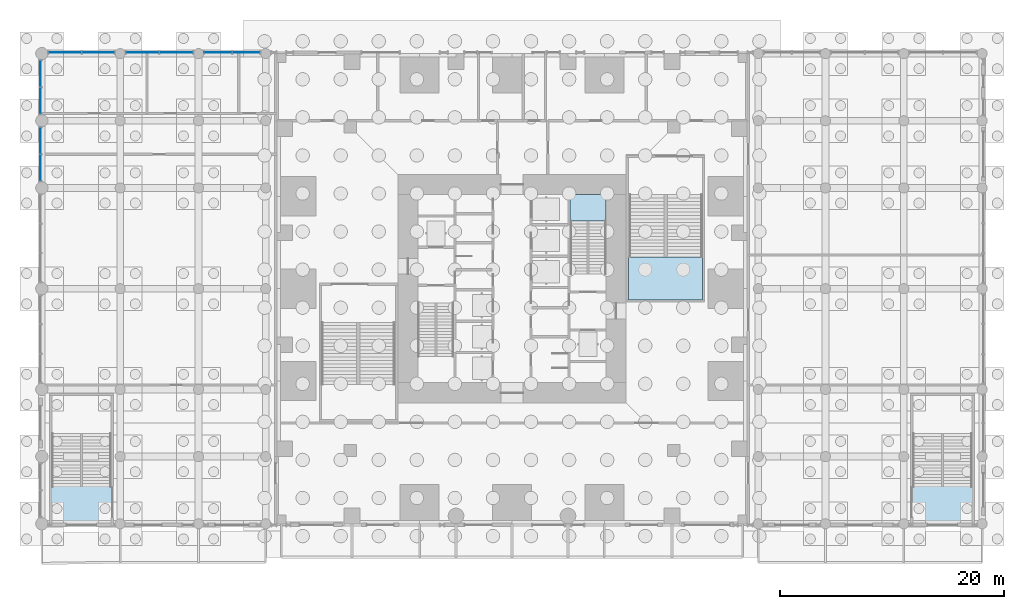
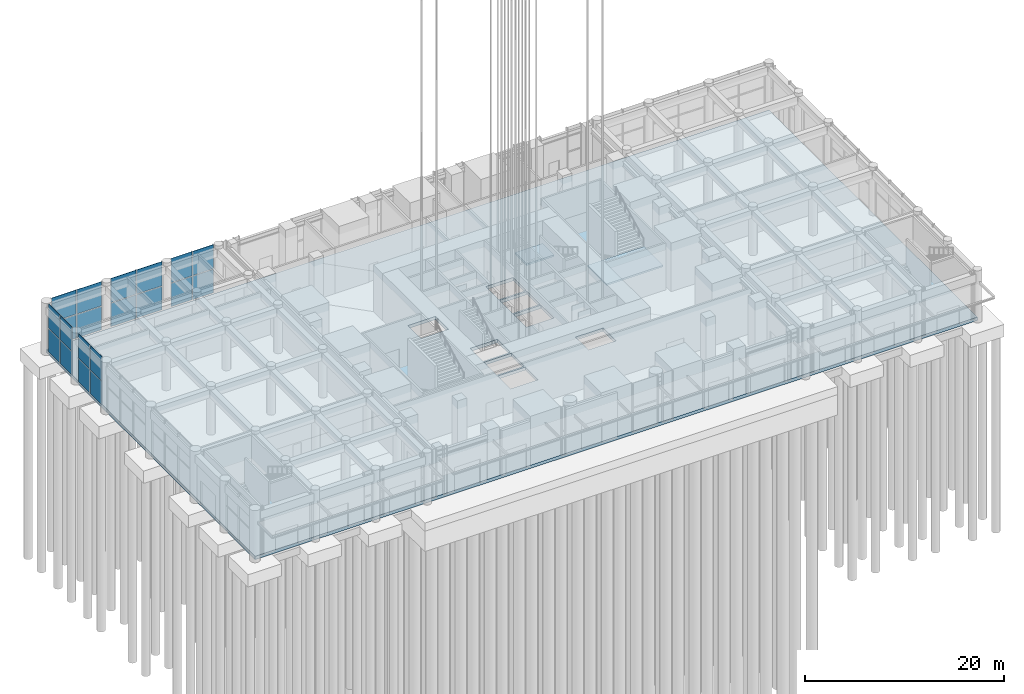
# One storey, part 17 of 46: 20 plates, 3 slabs, 7 elements without a shape of their own.
"""IFC4 building model written with IfcOpenShell, lengths in metres."""

from ifc_helpers import new_model, si_unit, direction, frame, origin, origin_2d, place, context, subcontext, project, spatial, polyline, rectangle, outline, extrude, material, layer, layer_set, type_object, element, aggregate, save


model = new_model("IFC4")

# Units and contexts
model_context = context("Model", 3, precision=1e-05, world=origin(), true_north=direction((0.0, 1.0)))
body_context = subcontext(model_context, "Body", "Model", "MODEL_VIEW")
ifc_project = project(units=[si_unit("LENGTHUNIT", "METRE"), si_unit("AREAUNIT", "SQUARE_METRE"), si_unit("VOLUMEUNIT", "CUBIC_METRE"), si_unit("PLANEANGLEUNIT", "RADIAN"), si_unit("MASSUNIT", "GRAM", prefix="KILO")], contexts=[model_context])

# Site, building, storey
site_placement = place(None, origin())
site = spatial("IfcSite", under=ifc_project, at=site_placement, CompositionType="ELEMENT")
building_placement = place(site_placement, origin())
building = spatial("IfcBuilding", under=site, at=building_placement, Name="Svetlomir Tower", CompositionType="ELEMENT")
storey_placement = place(building_placement, origin())
storey = spatial("IfcBuildingStorey", under=building, at=storey_placement, Name="L00", CompositionType="ELEMENT", Elevation=0.0)

# Curtain wall, plates
ifc_material_1 = material(Name="Bronze anodised aluminium curtain wall", Category="aluminium")
curtain_wall_type = type_object("IfcCurtainWallType", Name="CURTAIN WALL CW5 PODIUM", PredefinedType="NOTDEFINED", material=ifc_material_1)
curtain_wall_1_placement = place(storey_placement, origin())
curtain_wall_1 = element("IfcCurtainWall", 1, at=curtain_wall_1_placement, inside=storey, type_object=curtain_wall_type, Name="Curtain wall CW5 L00", PredefinedType="NOTDEFINED")
ifc_material_2 = material(Name="Tinted double glazed unit", Category="glass")
ifc_layer_1 = layer(ifc_material_2, 0.0400390625)
ifc_layer_set_1 = layer_set([ifc_layer_1], Name="Tinted double glazed unit")
plate_type = type_object("IfcPlateType", Name="CW5 GLAZED PANEL 40", PredefinedType="CURTAIN_PANEL", material=ifc_layer_set_1)
plate_1_placement = place(storey_placement, frame((-2.7451171875, 42.10009765625, 0.080078125), z_axis=(0.0, 0.0, 1.0), x_axis=(-1.0, 0.0, 0.0)))
plate_1 = element("IfcPlate", 2, at=plate_1_placement, type_object=plate_type, Name="CW5 panel 1.1", PredefinedType="CURTAIN_PANEL", context=body_context, shape_type="SweptSolid", body=[
    extrude(rectangle(XDim=2.429931640625, YDim=0.0400390625, at=origin_2d()), origin(), (0.0, 0.0, 1.0), 2.8798828125),
])
plate_2_placement = place(storey_placement, frame((-2.7451171875, 42.10009765625, 3.0400390625), z_axis=(0.0, 0.0, 1.0), x_axis=(-1.0, 0.0, 0.0)))
plate_2 = element("IfcPlate", 3, at=plate_2_placement, type_object=plate_type, Name="CW5 panel 1.2", PredefinedType="CURTAIN_PANEL", context=body_context, shape_type="SweptSolid", body=[
    extrude(rectangle(XDim=2.429931640625, YDim=0.0400390625, at=origin_2d()), origin(), (0.0, 0.0, 1.0), 2.9599609375),
])
plate_3_placement = place(storey_placement, frame((-5.2548828125, 42.10009765625, 0.080078125), z_axis=(0.0, 0.0, 1.0), x_axis=(-1.0, 0.0, 0.0)))
plate_3 = element("IfcPlate", 4, at=plate_3_placement, type_object=plate_type, Name="CW5 panel 2.1", PredefinedType="CURTAIN_PANEL", context=body_context, shape_type="SweptSolid", body=[
    extrude(rectangle(XDim=2.429931640625, YDim=0.0400390625, at=origin_2d()), origin(), (0.0, 0.0, 1.0), 2.8798828125),
])
plate_4_placement = place(storey_placement, frame((-5.2548828125, 42.10009765625, 3.0400390625), z_axis=(0.0, 0.0, 1.0), x_axis=(-1.0, 0.0, 0.0)))
plate_4 = element("IfcPlate", 5, at=plate_4_placement, type_object=plate_type, Name="CW5 panel 2.2", PredefinedType="CURTAIN_PANEL", context=body_context, shape_type="SweptSolid", body=[
    extrude(rectangle(XDim=2.429931640625, YDim=0.0400390625, at=origin_2d()), origin(), (0.0, 0.0, 1.0), 2.9599609375),
])
aggregate(curtain_wall_1, [plate_1, plate_2, plate_3, plate_4])

curtain_wall_2_placement = place(storey_placement, origin())
curtain_wall_2 = element("IfcCurtainWall", 6, at=curtain_wall_2_placement, inside=storey, type_object=curtain_wall_type, Name="Curtain wall CW5 L00", PredefinedType="NOTDEFINED")
plate_5_placement = place(storey_placement, frame((-8.9951171875, 42.10009765625, 0.080078125), z_axis=(0.0, 0.0, 1.0), x_axis=(-1.0, 0.0, 0.0)))
plate_5 = element("IfcPlate", 7, at=plate_5_placement, type_object=plate_type, Name="CW5 panel 1.1", PredefinedType="CURTAIN_PANEL", context=body_context, shape_type="SweptSolid", body=[
    extrude(rectangle(XDim=2.929931640625, YDim=0.0400390625, at=origin_2d()), origin(), (0.0, 0.0, 1.0), 2.8798828125),
])
plate_6_placement = place(storey_placement, frame((-8.9951171875, 42.10009765625, 3.0400390625), z_axis=(0.0, 0.0, 1.0), x_axis=(-1.0, 0.0, 0.0)))
plate_6 = element("IfcPlate", 8, at=plate_6_placement, type_object=plate_type, Name="CW5 panel 1.2", PredefinedType="CURTAIN_PANEL", context=body_context, shape_type="SweptSolid", body=[
    extrude(rectangle(XDim=2.929931640625, YDim=0.0400390625, at=origin_2d()), origin(), (0.0, 0.0, 1.0), 2.9599609375),
])
plate_7_placement = place(storey_placement, frame((-12.0048828125, 42.10009765625, 0.080078125), z_axis=(0.0, 0.0, 1.0), x_axis=(-1.0, 0.0, 0.0)))
plate_7 = element("IfcPlate", 9, at=plate_7_placement, type_object=plate_type, Name="CW5 panel 2.1", PredefinedType="CURTAIN_PANEL", context=body_context, shape_type="SweptSolid", body=[
    extrude(rectangle(XDim=2.929931640625, YDim=0.0400390625, at=origin_2d()), origin(), (0.0, 0.0, 1.0), 2.8798828125),
])
plate_8_placement = place(storey_placement, frame((-12.0048828125, 42.10009765625, 3.0400390625), z_axis=(0.0, 0.0, 1.0), x_axis=(-1.0, 0.0, 0.0)))
plate_8 = element("IfcPlate", 10, at=plate_8_placement, type_object=plate_type, Name="CW5 panel 2.2", PredefinedType="CURTAIN_PANEL", context=body_context, shape_type="SweptSolid", body=[
    extrude(rectangle(XDim=2.929931640625, YDim=0.0400390625, at=origin_2d()), origin(), (0.0, 0.0, 1.0), 2.9599609375),
])
aggregate(curtain_wall_2, [plate_5, plate_6, plate_7, plate_8])

curtain_wall_3_placement = place(storey_placement, origin())
curtain_wall_3 = element("IfcCurtainWall", 11, at=curtain_wall_3_placement, inside=storey, type_object=curtain_wall_type, Name="Curtain wall CW5 L00", PredefinedType="NOTDEFINED")
plate_9_placement = place(storey_placement, frame((-15.969970703125, 42.10009765625, 0.080078125), z_axis=(0.0, 0.0, 1.0), x_axis=(-1.0, 0.0, 0.0)))
plate_9 = element("IfcPlate", 12, at=plate_9_placement, type_object=plate_type, Name="CW5 panel 1.1", PredefinedType="CURTAIN_PANEL", context=body_context, shape_type="SweptSolid", body=[
    extrude(rectangle(XDim=2.8798828125, YDim=0.0400390625, at=origin_2d()), origin(), (0.0, 0.0, 1.0), 2.8798828125),
])
plate_10_placement = place(storey_placement, frame((-15.969970703125, 42.10009765625, 3.0400390625), z_axis=(0.0, 0.0, 1.0), x_axis=(-1.0, 0.0, 0.0)))
plate_10 = element("IfcPlate", 13, at=plate_10_placement, type_object=plate_type, Name="CW5 panel 1.2", PredefinedType="CURTAIN_PANEL", context=body_context, shape_type="SweptSolid", body=[
    extrude(rectangle(XDim=2.8798828125, YDim=0.0400390625, at=origin_2d()), origin(), (0.0, 0.0, 1.0), 2.9599609375),
])
plate_11_placement = place(storey_placement, frame((-18.929931640625, 42.10009765625, 0.080078125), z_axis=(0.0, 0.0, 1.0), x_axis=(-1.0, 0.0, 0.0)))
plate_11 = element("IfcPlate", 14, at=plate_11_placement, type_object=plate_type, Name="CW5 panel 2.1", PredefinedType="CURTAIN_PANEL", context=body_context, shape_type="SweptSolid", body=[
    extrude(rectangle(XDim=2.8798828125, YDim=0.0400390625, at=origin_2d()), origin(), (0.0, 0.0, 1.0), 2.8798828125),
])
plate_12_placement = place(storey_placement, frame((-18.929931640625, 42.10009765625, 3.0400390625), z_axis=(0.0, 0.0, 1.0), x_axis=(-1.0, 0.0, 0.0)))
plate_12 = element("IfcPlate", 15, at=plate_12_placement, type_object=plate_type, Name="CW5 panel 2.2", PredefinedType="CURTAIN_PANEL", context=body_context, shape_type="SweptSolid", body=[
    extrude(rectangle(XDim=2.8798828125, YDim=0.0400390625, at=origin_2d()), origin(), (0.0, 0.0, 1.0), 2.9599609375),
])
aggregate(curtain_wall_3, [plate_9, plate_10, plate_11, plate_12])

curtain_wall_4_placement = place(storey_placement, origin())
curtain_wall_4 = element("IfcCurtainWall", 16, at=curtain_wall_4_placement, inside=storey, type_object=curtain_wall_type, Name="Curtain wall CW5 L00", PredefinedType="NOTDEFINED")
plate_13_placement = place(storey_placement, frame((-21.10009765625, 40.205078125, 0.080078125), z_axis=(0.0, 0.0, 1.0), x_axis=(0.0, -1.0, 0.0)))
plate_13 = element("IfcPlate", 17, at=plate_13_placement, type_object=plate_type, Name="CW5 panel 1.1", PredefinedType="CURTAIN_PANEL", context=body_context, shape_type="SweptSolid", body=[
    extrude(rectangle(XDim=2.330078125, YDim=0.0400390625, at=origin_2d()), origin(), (0.0, 0.0, 1.0), 2.8798828125),
])
plate_14_placement = place(storey_placement, frame((-21.10009765625, 40.205078125, 3.0400390625), z_axis=(0.0, 0.0, 1.0), x_axis=(0.0, -1.0, 0.0)))
plate_14 = element("IfcPlate", 18, at=plate_14_placement, type_object=plate_type, Name="CW5 panel 1.2", PredefinedType="CURTAIN_PANEL", context=body_context, shape_type="SweptSolid", body=[
    extrude(rectangle(XDim=2.330078125, YDim=0.0400390625, at=origin_2d()), origin(), (0.0, 0.0, 1.0), 2.9599609375),
])
plate_15_placement = place(storey_placement, frame((-21.10009765625, 37.794921875, 0.080078125), z_axis=(0.0, 0.0, 1.0), x_axis=(0.0, -1.0, 0.0)))
plate_15 = element("IfcPlate", 19, at=plate_15_placement, type_object=plate_type, Name="CW5 panel 2.1", PredefinedType="CURTAIN_PANEL", context=body_context, shape_type="SweptSolid", body=[
    extrude(rectangle(XDim=2.330078125, YDim=0.0400390625, at=origin_2d()), origin(), (0.0, 0.0, 1.0), 2.8798828125),
])
plate_16_placement = place(storey_placement, frame((-21.10009765625, 37.794921875, 3.0400390625), z_axis=(0.0, 0.0, 1.0), x_axis=(0.0, -1.0, 0.0)))
plate_16 = element("IfcPlate", 20, at=plate_16_placement, type_object=plate_type, Name="CW5 panel 2.2", PredefinedType="CURTAIN_PANEL", context=body_context, shape_type="SweptSolid", body=[
    extrude(rectangle(XDim=2.330078125, YDim=0.0400390625, at=origin_2d()), origin(), (0.0, 0.0, 1.0), 2.9599609375),
])
aggregate(curtain_wall_4, [plate_13, plate_14, plate_15, plate_16])

curtain_wall_5_placement = place(storey_placement, origin())
curtain_wall_5 = element("IfcCurtainWall", 21, at=curtain_wall_5_placement, inside=storey, type_object=curtain_wall_type, Name="Curtain wall CW5 L00", PredefinedType="NOTDEFINED")
plate_17_placement = place(storey_placement, frame((-21.10009765625, 34.205078125, 0.080078125), z_axis=(0.0, 0.0, 1.0), x_axis=(0.0, -1.0, 0.0)))
plate_17 = element("IfcPlate", 22, at=plate_17_placement, type_object=plate_type, Name="CW5 panel 1.1", PredefinedType="CURTAIN_PANEL", context=body_context, shape_type="SweptSolid", body=[
    extrude(rectangle(XDim=2.330078125, YDim=0.0400390625, at=origin_2d()), origin(), (0.0, 0.0, 1.0), 2.8798828125),
])
plate_18_placement = place(storey_placement, frame((-21.10009765625, 34.205078125, 3.0400390625), z_axis=(0.0, 0.0, 1.0), x_axis=(0.0, -1.0, 0.0)))
plate_18 = element("IfcPlate", 23, at=plate_18_placement, type_object=plate_type, Name="CW5 panel 1.2", PredefinedType="CURTAIN_PANEL", context=body_context, shape_type="SweptSolid", body=[
    extrude(rectangle(XDim=2.330078125, YDim=0.0400390625, at=origin_2d()), origin(), (0.0, 0.0, 1.0), 2.9599609375),
])
plate_19_placement = place(storey_placement, frame((-21.10009765625, 31.794921875, 0.080078125), z_axis=(0.0, 0.0, 1.0), x_axis=(0.0, -1.0, 0.0)))
plate_19 = element("IfcPlate", 24, at=plate_19_placement, type_object=plate_type, Name="CW5 panel 2.1", PredefinedType="CURTAIN_PANEL", context=body_context, shape_type="SweptSolid", body=[
    extrude(rectangle(XDim=2.330078125, YDim=0.0400390625, at=origin_2d()), origin(), (0.0, 0.0, 1.0), 2.8798828125),
])
plate_20_placement = place(storey_placement, frame((-21.10009765625, 31.794921875, 3.0400390625), z_axis=(0.0, 0.0, 1.0), x_axis=(0.0, -1.0, 0.0)))
plate_20 = element("IfcPlate", 25, at=plate_20_placement, type_object=plate_type, Name="CW5 panel 2.2", PredefinedType="CURTAIN_PANEL", context=body_context, shape_type="SweptSolid", body=[
    extrude(rectangle(XDim=2.330078125, YDim=0.0400390625, at=origin_2d()), origin(), (0.0, 0.0, 1.0), 2.9599609375),
])
aggregate(curtain_wall_5, [plate_17, plate_18, plate_19, plate_20])

# Slab
ifc_material_3 = material(Name="Concrete C60/75", Category="concrete")
ifc_layer_2 = layer(ifc_material_3, 0.39990234375)
ifc_layer_set_2 = layer_set([ifc_layer_2], Name="Concrete C60/75")
slab_type_1 = type_object("IfcSlabType", Name="GROUND SLAB 400", PredefinedType="BASESLAB", material=ifc_layer_set_2)
slab_1_placement = place(storey_placement, frame((0.0, 0.0, -0.39990234375)))
element("IfcSlab", 26, at=slab_1_placement, inside=storey, type_object=slab_type_1, Name="L00 ground slab", PredefinedType="BASESLAB", context=body_context, shape_type="SweptSolid", body=[
    extrude(outline(polyline([(-21.0, 0.0), (63.0, 0.0), (63.0, 42.0), (-21.0, 42.0), (-21.0, 0.0)]), holes=[polyline([(12.60009765625, 24.800048828125), (15.800048828125, 24.800048828125), (15.800048828125, 27.39990234375), (12.60009765625, 27.39990234375), (12.60009765625, 24.800048828125)]), polyline([(26.199951171875, 14.60009765625), (29.39990234375, 14.60009765625), (29.39990234375, 17.199951171875), (26.199951171875, 17.199951171875), (26.199951171875, 14.60009765625)]), polyline([(16.0, 12.60009765625), (19.199951171875, 12.60009765625), (19.199951171875, 15.199951171875), (16.0, 15.199951171875), (16.0, 12.60009765625)]), polyline([(16.0, 15.39990234375), (19.199951171875, 15.39990234375), (19.199951171875, 18.0), (16.0, 18.0), (16.0, 15.39990234375)]), polyline([(16.0, 18.199951171875), (19.199951171875, 18.199951171875), (19.199951171875, 20.800048828125), (16.0, 20.800048828125), (16.0, 18.199951171875)]), polyline([(22.800048828125, 21.199951171875), (26.0, 21.199951171875), (26.0, 23.800048828125), (22.800048828125, 23.800048828125), (22.800048828125, 21.199951171875)]), polyline([(22.800048828125, 24.0), (26.0, 24.0), (26.0, 26.60009765625), (22.800048828125, 26.60009765625), (22.800048828125, 24.0)]), polyline([(22.800048828125, 26.800048828125), (26.0, 26.800048828125), (26.0, 29.39990234375), (22.800048828125, 29.39990234375), (22.800048828125, 26.800048828125)])]), origin(), (0.0, 0.0, 1.0), 0.39990234375),
])

# Stair, slab
ifc_material_4 = material(Name="Concrete C60/75", Category="concrete")
stair_type_1 = type_object("IfcStairType", Name="EXIT STAIR 3200 RISE 6000", PredefinedType="HALF_TURN_STAIR", material=ifc_material_4)
stair_1_placement = place(storey_placement, origin())
stair_1 = element("IfcStair", 27, at=stair_1_placement, inside=storey, type_object=stair_type_1, Name="Stair S2 L00 to L01", PredefinedType="HALF_TURN_STAIR")
ifc_material_5 = material(Name="Concrete C60/75", Category="concrete")
ifc_layer_3 = layer(ifc_material_5, 0.199951171875)
ifc_layer_set_3 = layer_set([ifc_layer_3], Name="Concrete C60/75")
slab_type_2 = type_object("IfcSlabType", Name="STAIR LANDING 200", PredefinedType="LANDING", material=ifc_layer_set_3)
slab_2_placement = place(storey_placement, frame((0.0, 0.0, 2.800048828125)))
slab_2 = element("IfcSlab", 28, at=slab_2_placement, type_object=slab_type_2, Name="S2 landing 1", PredefinedType="LANDING", context=body_context, shape_type="SweptSolid", body=[
    extrude(outline(polyline([(26.199951171875, 27.06005859375), (29.39990234375, 27.06005859375), (29.39990234375, 29.39990234375), (26.199951171875, 29.39990234375), (26.199951171875, 27.06005859375)])), origin(), (0.0, 0.0, 1.0), 0.199951171875),
])
aggregate(stair_1, [slab_2])

ifc_material_6 = material(Name="Concrete C60/75", Category="concrete")
stair_type_2 = type_object("IfcStairType", Name="EXIT STAIR 6600 RISE 6000", PredefinedType="HALF_TURN_STAIR", material=ifc_material_6)
stair_2_placement = place(storey_placement, origin())
stair_2 = element("IfcStair", 29, at=stair_2_placement, inside=storey, type_object=stair_type_2, Name="Stair P2 L00 to L01", PredefinedType="HALF_TURN_STAIR")
slab_3_placement = place(storey_placement, frame((0.0, 0.0, 2.800048828125)))
slab_3 = element("IfcSlab", 30, at=slab_3_placement, type_object=slab_type_2, Name="P2 landing 1", PredefinedType="LANDING", context=body_context, shape_type="SweptSolid", body=[
    extrude(outline(polyline([(31.39990234375, 20.0), (38.0, 20.0), (38.0, 23.820068359375), (31.39990234375, 23.820068359375), (31.39990234375, 20.0)])), origin(), (0.0, 0.0, 1.0), 0.199951171875),
])
aggregate(stair_2, [slab_3])

save(model, "model.ifc")
